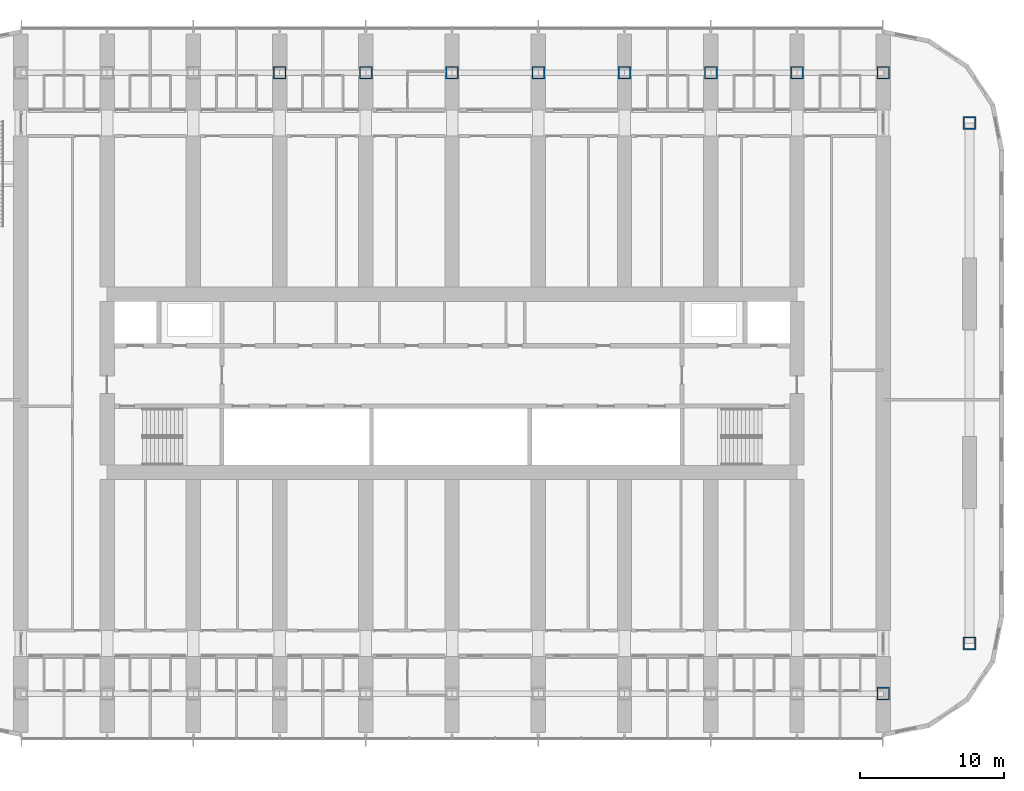
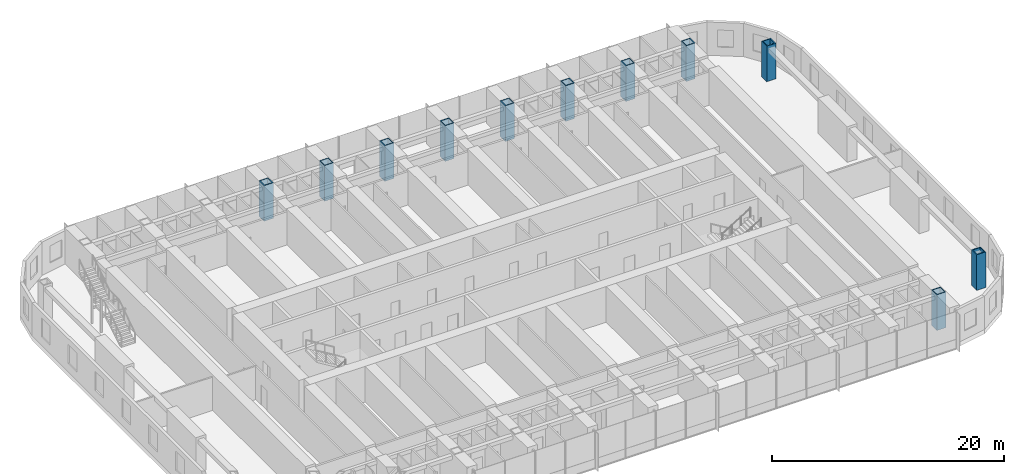
# One storey, part 3 of 28: 11 columns.
"""IFC4 building model written with IfcOpenShell, lengths in metres."""

from ifc_helpers import new_model, si_unit, direction, frame, origin, origin_2d, place, context, subcontext, project, spatial, hollow_rectangle, extrude, material, material_profile, profile_set, type_object, element, save


model = new_model("IFC4")

# Units and contexts
model_context = context("Model", 3, precision=1e-05, world=origin(), true_north=direction((0.0, 1.0)))
body_context = subcontext(model_context, "Body", "Model", "MODEL_VIEW")
ifc_project = project(units=[si_unit("LENGTHUNIT", "METRE"), si_unit("AREAUNIT", "SQUARE_METRE"), si_unit("VOLUMEUNIT", "CUBIC_METRE"), si_unit("PLANEANGLEUNIT", "RADIAN"), si_unit("MASSUNIT", "GRAM", prefix="KILO")], contexts=[model_context])

# Site, building, storey
site_placement = place(None, origin())
site = spatial("IfcSite", under=ifc_project, at=site_placement, CompositionType="ELEMENT")
building_placement = place(site_placement, origin())
building = spatial("IfcBuilding", under=site, at=building_placement, Name="Orbita Commons", CompositionType="ELEMENT")
storey_placement = place(building_placement, frame((0.0, 0.0, 38.949951171875)))
storey = spatial("IfcBuildingStorey", under=building, at=storey_placement, Name="L09", CompositionType="ELEMENT", Elevation=38.949951171875)

# Columns
ifc_material = material(Name="Steel ASTM A572 Gr 50 welded plate", Category="steel")
ifc_material_profile = material_profile(ifc_material, hollow_rectangle(XDim=0.89990234375, YDim=0.89990234375, WallThickness=0.090087890625, at=origin_2d()), Name="BOX 900x900x90")
ifc_profile_set = profile_set([ifc_material_profile], Name="Steel ASTM A572 Gr 50 welded plate")
column_type = type_object("IfcColumnType", Name="Steel column BOX 900x900x90", PredefinedType="COLUMN", material=ifc_profile_set)
for number, where, z_axis, x_axis, name in (
    (1, (30.0, 53.60009765625, 0.0), (0.0, 0.0, 1.0), (1.0, 0.0, 0.0), "Column 6/E L09"),
    (2, (36.0, 53.60009765625, 0.0), (0.0, 0.0, 1.0), (1.0, 0.0, 0.0), "Column 7/E L09"),
    (3, (42.0, 53.60009765625, 0.0), (0.0, 0.0, 1.0), (1.0, 0.0, 0.0), "Column 8/E L09"),
    (4, (48.0, 53.60009765625, 0.0), (0.0, 0.0, 1.0), (1.0, 0.0, 0.0), "Column 9/E L09"),
    (5, (54.0, 53.60009765625, 0.0), (0.0, 0.0, 1.0), (1.0, 0.0, 0.0), "Column 10/E L09"),
    (6, (60.0, 53.60009765625, 0.0), (0.0, 0.0, 1.0), (1.0, 0.0, 0.0), "Column 11/E L09"),
    (7, (66.0, 53.60009765625, 0.0), (0.0, 0.0, 1.0), (1.0, 0.0, 0.0), "Column 12/E L09"),
    (8, (72.0, 10.39990234375, 0.0), (0.0, 0.0, 1.0), (1.0, 0.0, 0.0), "Column 13/B L09"),
    (9, (72.0, 53.60009765625, 0.0), (0.0, 0.0, 1.0), (1.0, 0.0, 0.0), "Column 13/E L09"),
    (10, (78.0, 13.89990234375, 0.0), (0.0, 0.0, 1.0), (1.0, 0.0, 0.0), "Column 14/13.9 L09"),
    (11, (78.0, 50.10009765625, 0.0), (0.0, 0.0, 1.0), (1.0, 0.0, 0.0), "Column 14/50.1 L09"),
):
    element("IfcColumn", number, at=place(storey_placement, frame(where, z_axis=z_axis, x_axis=x_axis)), inside=storey, type_object=column_type, Name=name, PredefinedType="COLUMN", context=body_context, shape_type="SweptSolid", body=[
        extrude(hollow_rectangle(XDim=0.89990234375, YDim=0.89990234375, WallThickness=0.090087890625, at=origin_2d()), origin(), (0.0, 0.0, 1.0), 3.75),
    ])

save(model, "model.ifc")
